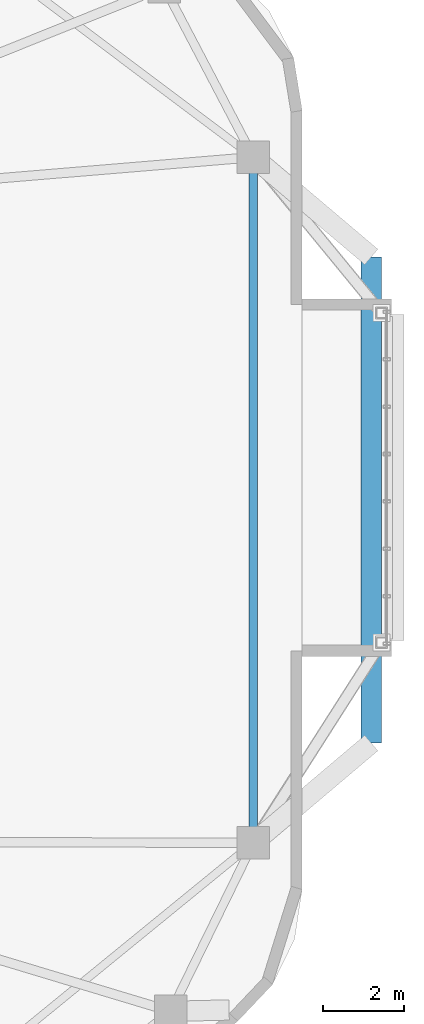
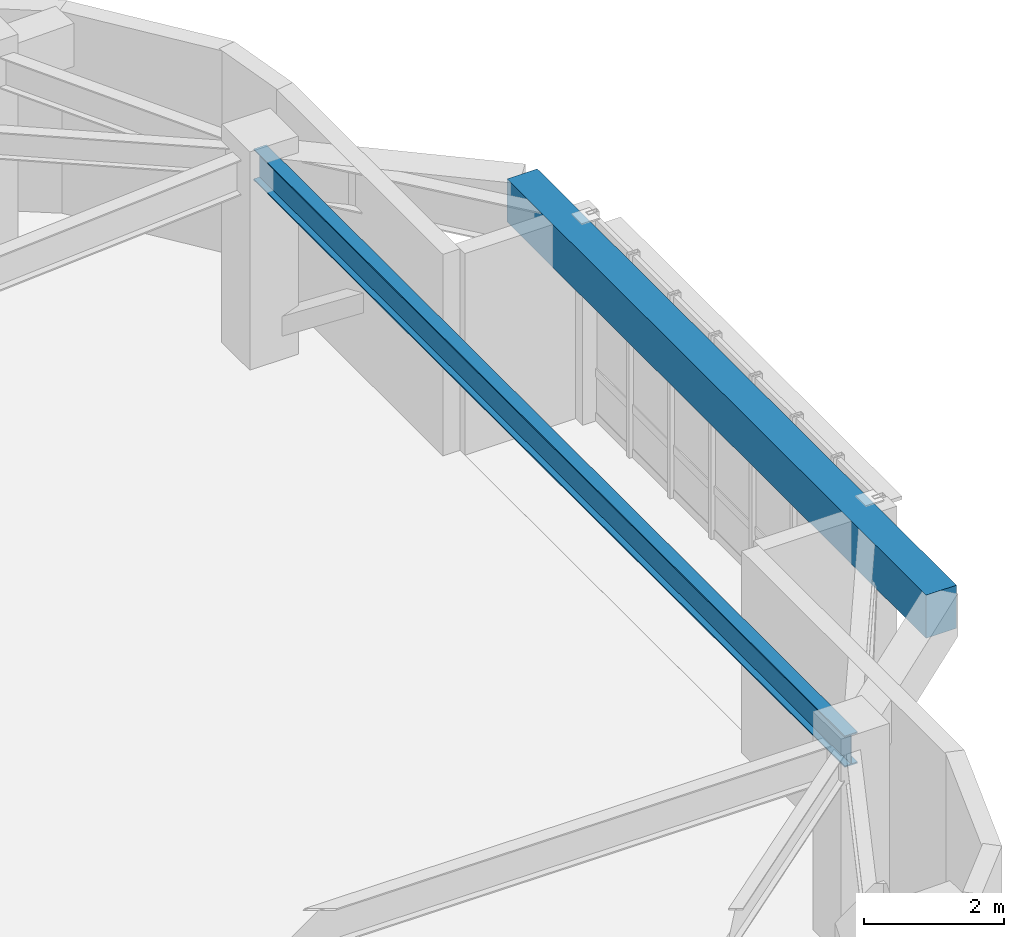
# One storey, part 7 of 16: 2 beams.
"""IFC4 building model written with IfcOpenShell, lengths in metres."""

from ifc_helpers import new_model, si_unit, direction, frame, origin, origin_2d, place, context, subcontext, project, spatial, rectangle, i_section, extrude, material, material_profile, profile_set, type_object, element, save


model = new_model("IFC4")

# Units and contexts
model_context = context("Model", 3, precision=1e-05, world=origin(), true_north=direction((0.0, 1.0)))
body_context = subcontext(model_context, "Body", "Model", "MODEL_VIEW")
ifc_project = project(units=[si_unit("LENGTHUNIT", "METRE"), si_unit("AREAUNIT", "SQUARE_METRE"), si_unit("VOLUMEUNIT", "CUBIC_METRE"), si_unit("PLANEANGLEUNIT", "RADIAN"), si_unit("MASSUNIT", "GRAM", prefix="KILO")], contexts=[model_context])

# Site, building, storey
site_placement = place(None, origin())
site = spatial("IfcSite", under=ifc_project, at=site_placement, CompositionType="ELEMENT")
building_placement = place(site_placement, origin())
building = spatial("IfcBuilding", under=site, at=building_placement, Name="Zulverin Broadcast Headquarters", CompositionType="ELEMENT")
storey_placement = place(building_placement, frame((0.0, 0.0, 228.800048828125)))
storey = spatial("IfcBuildingStorey", under=building, at=storey_placement, Name="L58", CompositionType="ELEMENT", Elevation=228.800048828125)

# Beams
ifc_material_1 = material(Name="Concrete C40/50", Category="concrete")
ifc_material_profile_1 = material_profile(ifc_material_1, rectangle(XDim=0.5, YDim=0.75, at=origin_2d()), Name="Concrete C40/50", Category="concrete")
ifc_profile_set_1 = profile_set([ifc_material_profile_1], Name="Concrete C40/50")
beam_type_1 = type_object("IfcBeamType", Name="BM-RC-500x750", PredefinedType="BEAM", material=ifc_profile_set_1)
beam_1_placement = place(storey_placement, frame((67.20068359375, 19.862548828125, 3.135009765625), z_axis=(0.0, 1.0, 0.0), x_axis=(-1.0, 0.0, 0.0)))
element("IfcBeam", 1, at=beam_1_placement, inside=storey, type_object=beam_type_1, Name="L59 Balcony Outer Edge Trimmer Beam BAL_E", PredefinedType="BEAM", context=body_context, shape_type="SweptSolid", body=[
    extrude(rectangle(XDim=0.5, YDim=0.75, at=origin_2d()), origin(), (0.0, 0.0, 1.0), 11.958251953125),
])
ifc_material_2 = material(Name="Structural steel S355JR", Category="steel")
ifc_material_profile_2 = material_profile(ifc_material_2, i_section(OverallWidth=0.2119140625, OverallDepth=0.54443359375, WebThickness=0.0126953125, FlangeThickness=0.021240234375, at=origin_2d()), Name="Structural steel S355JR", Category="steel")
ifc_profile_set_2 = profile_set([ifc_material_profile_2], Name="Structural steel S355JR")
beam_type_2 = type_object("IfcBeamType", Name="BM-UB-533", PredefinedType="SPANDREL", material=ifc_profile_set_2)
beam_2_placement = place(storey_placement, frame((64.300048828125, 17.40771484375, 3.237548828125), z_axis=(0.0, 1.0, 0.0), x_axis=(-1.0, 0.0, 0.0)))
element("IfcBeam", 2, at=beam_2_placement, inside=storey, type_object=beam_type_2, Name="L58 Perimeter Spandrel Beam SP-05", PredefinedType="SPANDREL", context=body_context, shape_type="SweptSolid", body=[
    extrude(i_section(OverallWidth=0.2119140625, OverallDepth=0.54443359375, WebThickness=0.0126953125, FlangeThickness=0.021240234375, at=origin_2d()), origin(), (0.0, 0.0, 1.0), 16.867919921875),
])

save(model, "model.ifc")
